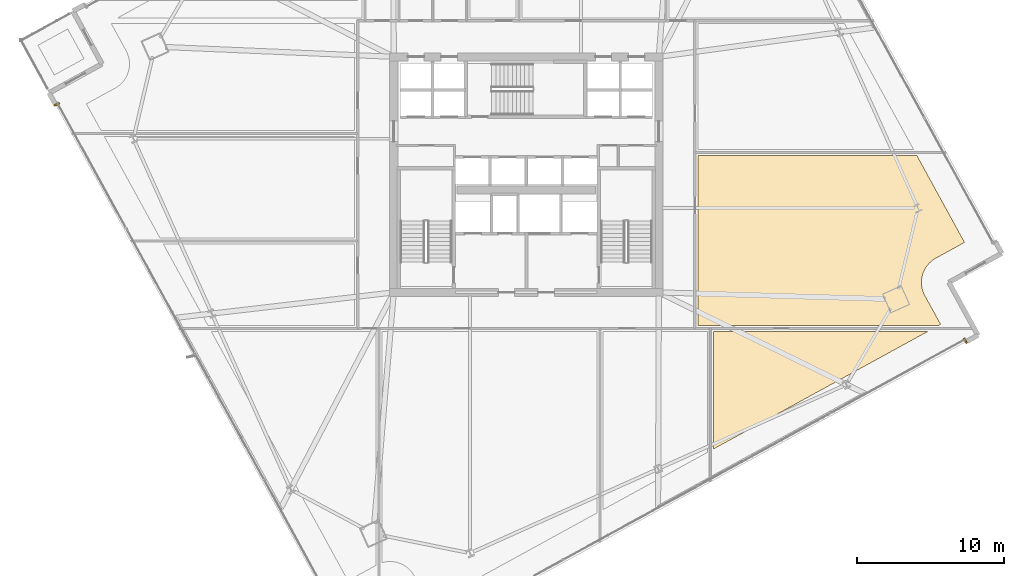
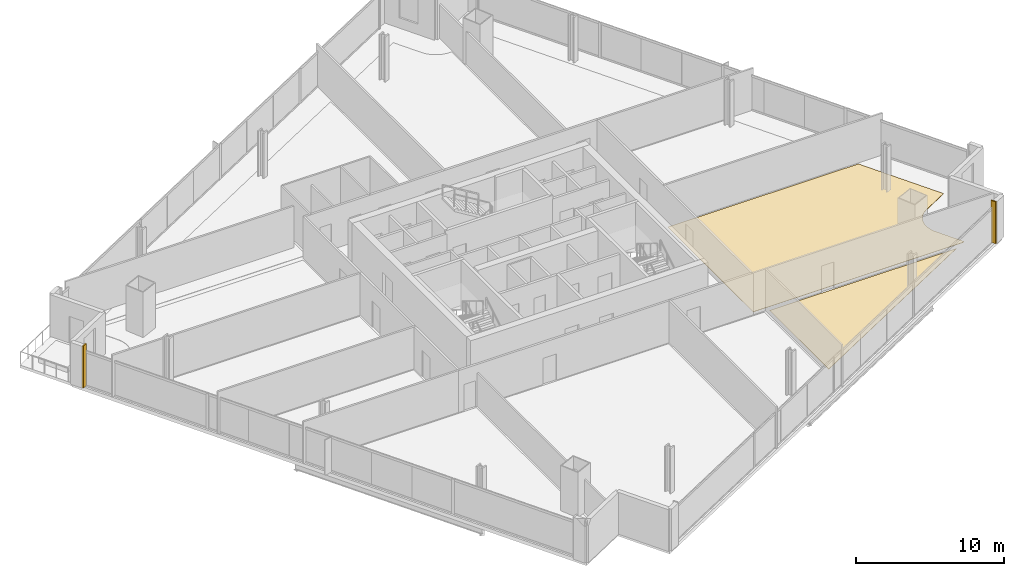
# One storey, part 30 of 33: 4 coverings.
"""IFC4 building model written with IfcOpenShell, lengths in metres."""

from ifc_helpers import new_model, si_unit, direction, frame, origin, origin_2d, place, context, subcontext, project, spatial, polyline, rectangle, outline, extrude, source, transform, mapped, material, layer, layer_set, type_object, element, save


model = new_model("IFC4")

# Units and contexts
model_context = context("Model", 3, precision=1e-05, world=origin(), true_north=direction((0.0, 1.0)))
body_context = subcontext(model_context, "Body", "Model", "MODEL_VIEW")
ifc_project = project(units=[si_unit("LENGTHUNIT", "METRE"), si_unit("AREAUNIT", "SQUARE_METRE"), si_unit("VOLUMEUNIT", "CUBIC_METRE"), si_unit("PLANEANGLEUNIT", "RADIAN"), si_unit("MASSUNIT", "GRAM", prefix="KILO")], contexts=[model_context])

# Site, building, storey
site_placement = place(None, origin())
site = spatial("IfcSite", under=ifc_project, at=site_placement, CompositionType="ELEMENT")
building_placement = place(site_placement, origin())
building = spatial("IfcBuilding", under=site, at=building_placement, Name="Haldenkirk Collegiate Tower", CompositionType="ELEMENT")
storey_placement = place(building_placement, frame((0.0, 0.0, 124.199951171875)))
storey = spatial("IfcBuildingStorey", under=building, at=storey_placement, Name="L30", CompositionType="ELEMENT", Elevation=124.199951171875)

# Coverings
ifc_material_1 = material(Name="Polished collegiate terrazzo", Category="concrete")
ifc_layer_1 = layer(ifc_material_1, 0.02490234375)
ifc_layer_set_1 = layer_set([ifc_layer_1], Name="Polished collegiate terrazzo")
covering_type_1 = type_object("IfcCoveringType", Name="COV-FLOOR-TERRAZZO", PredefinedType="FLOORING", material=ifc_layer_set_1)
covering_1_placement = place(storey_placement, origin())
element("IfcCovering", 1, at=covering_1_placement, inside=storey, type_object=covering_type_1, Name="L30 academic room finish 04", PredefinedType="FLOORING", context=body_context, shape_type="SweptSolid", body=[
    extrude(outline(polyline([(48.699951171875, 7.35498046875), (48.699951171875, 15.35009765625), (63.272705078125, 15.35009765625), (48.699951171875, 7.35498046875)])), origin(), (0.0, 0.0, 1.0), 0.025146484375),
])
ifc_material_2 = material(Name="Engineered collegiate oak acoustic flooring", Category="wood")
ifc_layer_2 = layer(ifc_material_2, 0.02197265625)
ifc_layer_set_2 = layer_set([ifc_layer_2], Name="Engineered collegiate oak acoustic flooring")
covering_type_2 = type_object("IfcCoveringType", Name="COV-FLOOR-TIMBER", PredefinedType="FLOORING", material=ifc_layer_set_2)
covering_2_placement = place(storey_placement, origin())
element("IfcCovering", 2, at=covering_2_placement, inside=storey, type_object=covering_type_2, Name="L30 academic room finish 11", PredefinedType="FLOORING", context=body_context, shape_type="SweptSolid", body=[
    extrude(outline(polyline([(63.809814453125, 20.321044921875), (63.8046875, 20.318115234375), (63.658203125, 20.228271484375), (63.6484375, 20.2216796875), (63.51171875, 20.117919921875), (63.502685546875, 20.110107421875), (63.376708984375, 19.993408203125), (63.368408203125, 19.985107421875), (63.25439453125, 19.856689453125), (63.2470703125, 19.847412109375), (63.146240234375, 19.708251953125), (63.139892578125, 19.698486328125), (63.05322265625, 19.55029296875), (63.0478515625, 19.539794921875), (62.97607421875, 19.3837890625), (62.9716796875, 19.372802734375), (62.91552734375, 19.21044921875), (62.912353515625, 19.19921875), (62.872314453125, 19.0322265625), (62.8701171875, 19.0205078125), (62.846923828125, 18.850341796875), (62.845947265625, 18.838623046875), (62.83935546875, 18.6669921875), (62.83935546875, 18.6552734375), (62.849609375, 18.48388671875), (62.85107421875, 18.47216796875), (62.878173828125, 18.302490234375), (62.880615234375, 18.291015625), (62.924072265625, 18.125), (62.927490234375, 18.11376953125), (62.9873046875, 17.95263671875), (62.99169921875, 17.94189453125), (63.06689453125, 17.787353515625), (63.069580078125, 17.7822265625), (64.142333984375, 15.826904296875), (64.001953125, 15.75), (47.64990234375, 15.75), (47.64990234375, 27.300048828125), (62.5244140625, 27.300048828125), (65.764892578125, 21.393798828125), (63.809814453125, 20.321044921875)])), origin(), (0.0, 0.0, 1.0), 0.02197265625),
])
ifc_material_3 = material(Name="Anodised architectural bronze aluminium", Category="aluminium")
ifc_layer_3 = layer(ifc_material_3, 0.06005859375)
ifc_layer_set_3 = layer_set([ifc_layer_3], Name="Anodised architectural bronze aluminium")
covering_type_3 = type_object("IfcCoveringType", Name="COV-CLAD-BRONZE-60", PredefinedType="CLADDING", material=ifc_layer_set_3)
shared_shape = source(origin(), body_context, "Body", "SweptSolid", [
    extrude(rectangle(XDim=0.10009765625, YDim=0.3798828125, at=origin_2d()), origin(), (0.0, 0.0, 1.0), 3.449951171875),
])
for number, where, z_axis, x_axis, name in (
    (3, (65.822509765625, 14.718505859375, 0.0), (0.0, 0.0, 1.0), (-0.876726755708, -0.480988768919, 0.0), "L30 recessed curtain-wall bronze jamb closure SJL"),
    (4, (4.1142578125, 30.771484375, 0.0), (0.0, 0.0, 1.0), (-0.480988768919, 0.876726755708, 0.0), "L30 recessed curtain-wall bronze jamb closure WJR"),
):
    element("IfcCovering", number, at=place(storey_placement, frame(where, z_axis=z_axis, x_axis=x_axis)), inside=storey, type_object=covering_type_3, Name=name, PredefinedType="CLADDING", context=body_context, shape_type="MappedRepresentation", body=[
        mapped(shared_shape, transform((0.0, 0.0, 0.0), x_axis=(1.0, 0.0, 0.0), y_axis=(0.0, 1.0, 0.0), z_axis=(0.0, 0.0, 1.0), scale=1.0)),
    ])

save(model, "model.ifc")
